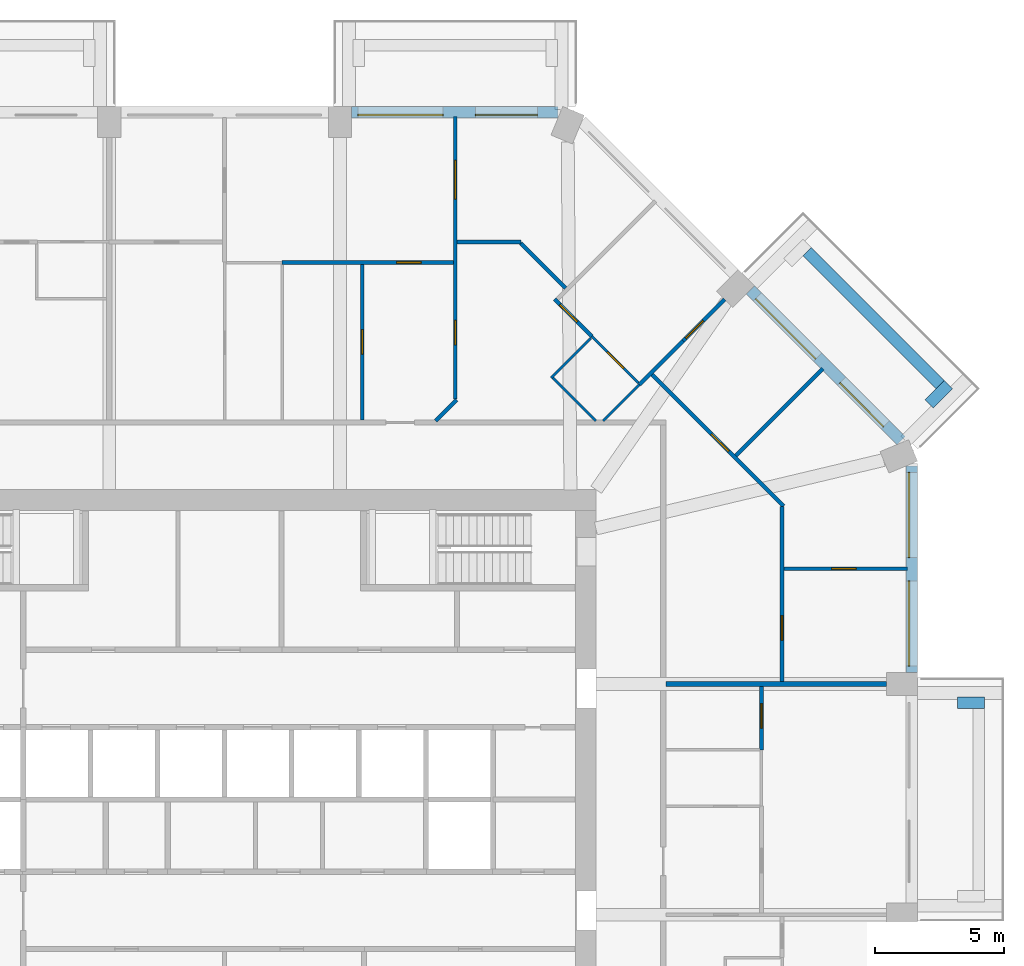
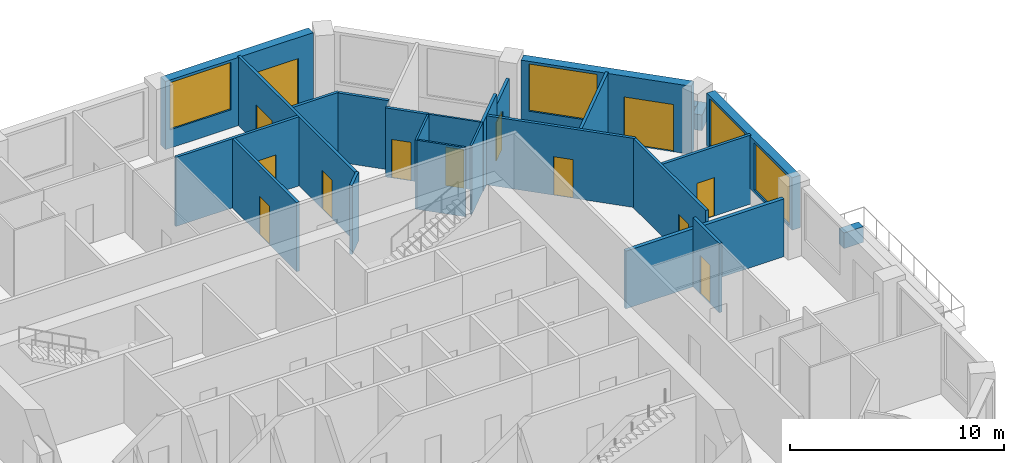
# One storey, part 10 of 13: 25 walls, 13 doors, 4 windows, 17 openings.
"""IFC4 building model written with IfcOpenShell, lengths in metres."""

from ifc_helpers import new_model, si_unit, direction, frame, frame_2d, origin, place, context, subcontext, project, spatial, rectangle, extrude, material, layer, layer_set, type_object, element, fill, save


model = new_model("IFC4")

# Units and contexts
model_context = context("Model", 3, precision=1e-05, world=origin(), true_north=direction((0.0, 1.0)))
body_context = subcontext(model_context, "Body", "Model", "MODEL_VIEW")
ifc_project = project(units=[si_unit("LENGTHUNIT", "METRE"), si_unit("AREAUNIT", "SQUARE_METRE"), si_unit("VOLUMEUNIT", "CUBIC_METRE"), si_unit("PLANEANGLEUNIT", "RADIAN"), si_unit("MASSUNIT", "GRAM", prefix="KILO")], contexts=[model_context])

# Site, building, storey
site_placement = place(None, origin())
site = spatial("IfcSite", under=ifc_project, at=site_placement, CompositionType="ELEMENT")
building_placement = place(site_placement, origin())
building = spatial("IfcBuilding", under=site, at=building_placement, Name="Msitu Wima Residences", CompositionType="ELEMENT")
storey_placement = place(building_placement, frame((0.0, 0.0, 110.699951171875)))
storey = spatial("IfcBuildingStorey", under=building, at=storey_placement, Name="L25", CompositionType="ELEMENT", Elevation=110.699951171875)

# Walls
ifc_material_1 = material(Name="Facing brick")
ifc_layer_1 = layer(ifc_material_1, 0.06494140625, Name="Facing brick")
ifc_material_2 = material(Name="Concrete C40/50", Category="concrete")
ifc_layer_2 = layer(ifc_material_2, 0.156005859375, Name="Concrete C40/50")
ifc_material_3 = material(Name="Waterproofing membrane")
ifc_layer_3 = layer(ifc_material_3, 0.00390625, Name="Waterproofing membrane")
ifc_material_4 = material(Name="Planting soil and planting")
ifc_layer_4 = layer(ifc_material_4, 0.22509765625, Name="Planting soil and planting")
ifc_layer_set_1 = layer_set([ifc_layer_1, ifc_layer_2, ifc_layer_3, ifc_layer_4], Name="Concrete C40/50")
wall_type_1 = type_object("IfcWallType", Name="Balcony planter PLANTER PL450", PredefinedType="USERDEFINED", material=ifc_layer_set_1)
wall_1_placement = place(storey_placement, frame((28.39990234375, 3.74365234375, 0.0), z_axis=(0.0, 0.0, 1.0), x_axis=(1.0, 0.0, 0.0)))
element("IfcWall", 1, at=wall_1_placement, inside=storey, type_object=wall_type_1, Name="Balcony planter E1 L25", ObjectType="PLANTER", PredefinedType="USERDEFINED", context=body_context, shape_type="SweptSolid", body=[
    extrude(rectangle(XDim=1.050048828125, YDim=0.449951171875, at=frame_2d((0.52490234375, 0.0))), origin(), (0.0, 0.0, 1.0), 0.900146484375),
])
wall_2_placement = place(storey_placement, frame((27.725830078125, 16.0751953125, 0.0), z_axis=(0.0, 0.0, 1.0), x_axis=(-0.707106781187, 0.707106781187, 0.0)))
element("IfcWall", 2, at=wall_2_placement, inside=storey, type_object=wall_type_1, Name="Balcony planter NE0 L25", ObjectType="PLANTER", PredefinedType="USERDEFINED", context=body_context, shape_type="SweptSolid", body=[
    extrude(rectangle(XDim=7.288330078125, YDim=0.449951171875, at=frame_2d((3.64404296875, 0.0))), origin(), (0.0, 0.0, 1.0), 0.900146484375),
])
wall_3_placement = place(storey_placement, frame((27.301513671875, 15.332763671875, 0.0), z_axis=(0.0, 0.0, 1.0), x_axis=(0.707106781187, 0.707106781187, 0.0)))
element("IfcWall", 3, at=wall_3_placement, inside=storey, type_object=wall_type_1, Name="Balcony planter NE0 L25", ObjectType="PLANTER", PredefinedType="USERDEFINED", context=body_context, shape_type="SweptSolid", body=[
    extrude(rectangle(XDim=1.050048828125, YDim=0.449951171875, at=frame_2d((0.52490234375, 0.0))), origin(), (0.0, 0.0, 1.0), 0.900146484375),
])

# Wall, openings, windows
ifc_material_5 = material(Name="Brick (red buff mix)", Category="masonry")
ifc_layer_5 = layer(ifc_material_5, 0.449951171875)
ifc_layer_set_2 = layer_set([ifc_layer_5], Name="Brick (red buff mix)")
wall_type_2 = type_object("IfcWallType", Name="Brick infill wall BW450", PredefinedType="SOLIDWALL", material=ifc_layer_set_2)
wall_4_placement = place(storey_placement, frame((26.625, 4.918701171875, 0.900146484375), z_axis=(0.0, 0.0, 1.0), x_axis=(0.0, 1.0, 0.0)))
wall_4 = element("IfcWall", 4, at=wall_4_placement, inside=storey, type_object=wall_type_2, Name="Brick infill wall L25 E2", PredefinedType="SOLIDWALL", context=body_context, shape_type="SweptSolid", body=[
    extrude(rectangle(XDim=8.0, YDim=0.449951171875, at=frame_2d((4.0, 0.0))), origin(), (0.0, 0.0, 1.0), 3.0),
])
opening_1_placement = place(wall_4_placement, frame((0.25, 0.0, 0.14990234375)))
opening_1 = element("IfcOpeningElement", 5, at=opening_1_placement, cuts=wall_4, Name="Opening W25-26.004", PredefinedType="OPENING", context=body_context, shape_type="SweptSolid", body=[
    extrude(rectangle(XDim=3.300048828125, YDim=2.699951171875, at=frame_2d((1.64990234375, 1.35009765625))), frame((0.0, 0.23486328125, 0.0), z_axis=(0.0, -1.0, 0.0), x_axis=(1.0, 0.0, 0.0)), (0.0, 0.0, 1.0), 0.469970703125),
])
opening_2_placement = place(wall_4_placement, frame((4.4501953125, 0.0, 0.14990234375)))
opening_2 = element("IfcOpeningElement", 6, at=opening_2_placement, cuts=wall_4, Name="Opening W25-26.005", PredefinedType="OPENING", context=body_context, shape_type="SweptSolid", body=[
    extrude(rectangle(XDim=3.300048828125, YDim=2.699951171875, at=frame_2d((1.64990234375, 1.35009765625))), frame((0.0, 0.23486328125, 0.0), z_axis=(0.0, -1.0, 0.0), x_axis=(1.0, 0.0, 0.0)), (0.0, 0.0, 1.0), 0.469970703125),
])
ifc_material_6 = material(Name="Anodised aluminium, bronze finish, clear low-emissivity double glazing", Category="aluminium")
window_type = type_object("IfcWindowType", Name="Window W3300x2700", PartitioningType="DOUBLE_PANEL_VERTICAL", PredefinedType="WINDOW", material=ifc_material_6)
window_1_placement = place(opening_1_placement, origin())
window_1 = element("IfcWindow", 7, at=window_1_placement, inside=storey, type_object=window_type, Name="Window L25 E2.1", OverallHeight=2.699951171875, OverallWidth=3.300048828125, PartitioningType="SINGLE_PANEL", PredefinedType="WINDOW", context=body_context, shape_type="SweptSolid", body=[
    extrude(rectangle(XDim=3.300048828125, YDim=2.699951171875, at=frame_2d((1.64990234375, 1.35009765625))), frame((0.0, 0.135009765625, 0.0), z_axis=(0.0, -1.0, 0.0), x_axis=(1.0, 0.0, 0.0)), (0.0, 0.0, 1.0), 0.06005859375),
])
fill(opening_1, window_1)
window_2_placement = place(opening_2_placement, origin())
window_2 = element("IfcWindow", 8, at=window_2_placement, inside=storey, type_object=window_type, Name="Window L25 E2.2", OverallHeight=2.699951171875, OverallWidth=3.300048828125, PartitioningType="SINGLE_PANEL", PredefinedType="WINDOW", context=body_context, shape_type="SweptSolid", body=[
    extrude(rectangle(XDim=3.300048828125, YDim=2.699951171875, at=frame_2d((1.64990234375, 1.35009765625))), frame((0.0, 0.135009765625, 0.0), z_axis=(0.0, -1.0, 0.0), x_axis=(1.0, 0.0, 0.0)), (0.0, 0.0, 1.0), 0.06005859375),
])
fill(opening_2, window_2)

# Wall, openings, door, window
wall_5_placement = place(storey_placement, frame((26.214599609375, 13.909423828125, 0.0), z_axis=(0.0, 0.0, 1.0), x_axis=(-0.707106781187, 0.707106781187, 0.0)))
wall_5 = element("IfcWall", 9, at=wall_5_placement, inside=storey, type_object=wall_type_2, Name="Brick infill wall L25 NE0", PredefinedType="SOLIDWALL", context=body_context, shape_type="SweptSolid", body=[
    extrude(rectangle(XDim=8.251220703125, YDim=0.449951171875, at=frame_2d((4.12548828125, 0.0))), origin(), (0.0, 0.0, 1.0), 3.900146484375),
])
opening_3_placement = place(wall_5_placement, frame((0.86279296875, 0.0, 0.0)))
opening_3 = element("IfcOpeningElement", 10, at=opening_3_placement, cuts=wall_5, Name="Opening D25-26.004", PredefinedType="OPENING", context=body_context, shape_type="SweptSolid", body=[
    extrude(rectangle(XDim=2.39990234375, YDim=2.699951171875, at=frame_2d((1.199951171875, 1.35009765625))), frame((0.0, 0.23486328125, 0.0), z_axis=(0.0, -1.0, 0.0), x_axis=(1.0, 0.0, 0.0)), (0.0, 0.0, 1.0), 0.469970703125),
])
opening_4_placement = place(wall_5_placement, frame((4.57568359375, 0.0, 1.050048828125)))
opening_4 = element("IfcOpeningElement", 11, at=opening_4_placement, cuts=wall_5, Name="Opening W25-26.010", PredefinedType="OPENING", context=body_context, shape_type="SweptSolid", body=[
    extrude(rectangle(XDim=3.300048828125, YDim=2.699951171875, at=frame_2d((1.64990234375, 1.35009765625))), frame((0.0, 0.23486328125, 0.0), z_axis=(0.0, -1.0, 0.0), x_axis=(1.0, 0.0, 0.0)), (0.0, 0.0, 1.0), 0.469970703125),
])
door_type_1 = type_object("IfcDoorType", Name="Balcony door D2400x2700", OperationType="SLIDING_TO_LEFT", PredefinedType="DOOR", material=ifc_material_6)
door_1_placement = place(opening_3_placement, origin())
door_1 = element("IfcDoor", 12, at=door_1_placement, inside=storey, type_object=door_type_1, Name="Balcony door L25 NE0", OperationType="SINGLE_SWING_LEFT", OverallHeight=2.699951171875, OverallWidth=2.39990234375, PredefinedType="DOOR", context=body_context, shape_type="SweptSolid", body=[
    extrude(rectangle(XDim=2.39990234375, YDim=2.699951171875, at=frame_2d((1.199951171875, 1.35009765625))), frame((0.0, 0.1298828125, 0.0), z_axis=(0.0, -1.0, 0.0), x_axis=(1.0, 0.0, 0.0)), (0.0, 0.0, 1.0), 0.050048828125),
])
fill(opening_3, door_1)
window_3_placement = place(opening_4_placement, origin())
window_3 = element("IfcWindow", 13, at=window_3_placement, inside=storey, type_object=window_type, Name="Window L25 NE0.2", OverallHeight=2.699951171875, OverallWidth=3.300048828125, PartitioningType="SINGLE_PANEL", PredefinedType="WINDOW", context=body_context, shape_type="SweptSolid", body=[
    extrude(rectangle(XDim=3.300048828125, YDim=2.699951171875, at=frame_2d((1.64990234375, 1.35009765625))), frame((0.0, 0.135009765625, 0.0), z_axis=(0.0, -1.0, 0.0), x_axis=(1.0, 0.0, 0.0)), (0.0, 0.0, 1.0), 0.06005859375),
])
fill(opening_4, window_3)

wall_6_placement = place(storey_placement, frame((12.918701171875, 26.625, 0.0), z_axis=(0.0, 0.0, 1.0), x_axis=(-1.0, 0.0, 0.0)))
wall_6 = element("IfcWall", 14, at=wall_6_placement, inside=storey, type_object=wall_type_2, Name="Brick infill wall L25 N0", PredefinedType="SOLIDWALL", context=body_context, shape_type="SweptSolid", body=[
    extrude(rectangle(XDim=8.0, YDim=0.449951171875, at=frame_2d((4.0, 0.0))), origin(), (0.0, 0.0, 1.0), 3.900146484375),
])
opening_5_placement = place(wall_6_placement, frame((0.800048828125, 0.0, 0.0)))
opening_5 = element("IfcOpeningElement", 15, at=opening_5_placement, cuts=wall_6, Name="Opening D25-26.002", PredefinedType="OPENING", context=body_context, shape_type="SweptSolid", body=[
    extrude(rectangle(XDim=2.39990234375, YDim=2.699951171875, at=frame_2d((1.199951171875, 1.35009765625))), frame((0.0, 0.23486328125, 0.0), z_axis=(0.0, -1.0, 0.0), x_axis=(1.0, 0.0, 0.0)), (0.0, 0.0, 1.0), 0.469970703125),
])
opening_6_placement = place(wall_6_placement, frame((4.4501953125, 0.0, 1.050048828125)))
opening_6 = element("IfcOpeningElement", 16, at=opening_6_placement, cuts=wall_6, Name="Opening W25-26.006", PredefinedType="OPENING", context=body_context, shape_type="SweptSolid", body=[
    extrude(rectangle(XDim=3.300048828125, YDim=2.699951171875, at=frame_2d((1.64990234375, 1.35009765625))), frame((0.0, 0.23486328125, 0.0), z_axis=(0.0, -1.0, 0.0), x_axis=(1.0, 0.0, 0.0)), (0.0, 0.0, 1.0), 0.469970703125),
])
door_2_placement = place(opening_5_placement, origin())
door_2 = element("IfcDoor", 17, at=door_2_placement, inside=storey, type_object=door_type_1, Name="Balcony door L25 N0", OperationType="SINGLE_SWING_LEFT", OverallHeight=2.699951171875, OverallWidth=2.39990234375, PredefinedType="DOOR", context=body_context, shape_type="SweptSolid", body=[
    extrude(rectangle(XDim=2.39990234375, YDim=2.699951171875, at=frame_2d((1.199951171875, 1.35009765625))), frame((0.0, 0.1298828125, 0.0), z_axis=(0.0, -1.0, 0.0), x_axis=(1.0, 0.0, 0.0)), (0.0, 0.0, 1.0), 0.050048828125),
])
fill(opening_5, door_2)
window_4_placement = place(opening_6_placement, origin())
window_4 = element("IfcWindow", 18, at=window_4_placement, inside=storey, type_object=window_type, Name="Window L25 N0.2", OverallHeight=2.699951171875, OverallWidth=3.300048828125, PartitioningType="SINGLE_PANEL", PredefinedType="WINDOW", context=body_context, shape_type="SweptSolid", body=[
    extrude(rectangle(XDim=3.300048828125, YDim=2.699951171875, at=frame_2d((1.64990234375, 1.35009765625))), frame((0.0, 0.135009765625, 0.0), z_axis=(0.0, -1.0, 0.0), x_axis=(1.0, 0.0, 0.0)), (0.0, 0.0, 1.0), 0.06005859375),
])
fill(opening_6, window_4)

# Wall, opening, door
ifc_material_7 = material(Name="Plaster")
ifc_layer_6 = layer(ifc_material_7, 0.011962890625, Name="Plaster")
ifc_material_8 = material(Name="Concrete blockwork", Category="masonry")
ifc_layer_7 = layer(ifc_material_8, 0.1259765625, Name="Concrete blockwork")
ifc_layer_8 = layer(ifc_material_7, 0.011962890625, Name="Plaster")
ifc_layer_set_3 = layer_set([ifc_layer_6, ifc_layer_7, ifc_layer_8], Name="Concrete blockwork")
wall_type_3 = type_object("IfcWallType", Name="Partition PW150", PredefinedType="PARTITIONING", material=ifc_layer_set_3)
wall_7_placement = place(storey_placement, frame((2.21728515625, 20.800048828125, 0.0), z_axis=(0.0, 0.0, 1.0), x_axis=(1.0, 0.0, 0.0)))
wall_7 = element("IfcWall", 19, at=wall_7_placement, inside=storey, type_object=wall_type_3, Name="Partition", PredefinedType="PARTITIONING", context=body_context, shape_type="SweptSolid", body=[
    extrude(rectangle(XDim=6.64501953125, YDim=0.14990234375, at=frame_2d((3.322509765625, 0.0))), origin(), (0.0, 0.0, 1.0), 3.949951171875),
])
opening_7_placement = place(wall_7_placement, frame((4.449951171875, 0.0, 0.0)))
opening_7 = element("IfcOpeningElement", 20, at=opening_7_placement, cuts=wall_7, Name="Opening D25-26.053", PredefinedType="OPENING", context=body_context, shape_type="SweptSolid", body=[
    extrude(rectangle(XDim=0.949951171875, YDim=2.199951171875, at=frame_2d((0.47509765625, 1.10009765625))), frame((0.0, 0.0849609375, 0.0), z_axis=(0.0, -1.0, 0.0), x_axis=(1.0, 0.0, 0.0)), (0.0, 0.0, 1.0), 0.169921875),
])
ifc_material_9 = material(Name="Timber flush door", Category="wood")
door_type_2 = type_object("IfcDoorType", Name="Room door D12 950x2200", OperationType="SINGLE_SWING_LEFT", PredefinedType="DOOR", material=ifc_material_9)
door_3_placement = place(opening_7_placement, origin())
door_3 = element("IfcDoor", 21, at=door_3_placement, inside=storey, type_object=door_type_2, Name="Room door", OperationType="SINGLE_SWING_RIGHT", OverallHeight=2.199951171875, OverallWidth=0.949951171875, PredefinedType="DOOR", context=body_context, shape_type="SweptSolid", body=[
    extrude(rectangle(XDim=0.949951171875, YDim=2.199951171875, at=frame_2d((0.47509765625, 1.10009765625))), frame((0.0, 0.02490234375, 0.0), z_axis=(0.0, -1.0, 0.0), x_axis=(1.0, 0.0, 0.0)), (0.0, 0.0, 1.0), 0.050048828125),
])
fill(opening_7, door_3)

wall_8_placement = place(storey_placement, frame((5.337158203125, 14.699951171875, 0.0), z_axis=(0.0, 0.0, 1.0), x_axis=(0.0, 1.0, 0.0)))
wall_8 = element("IfcWall", 22, at=wall_8_placement, inside=storey, type_object=wall_type_3, Name="Partition", PredefinedType="PARTITIONING", context=body_context, shape_type="SweptSolid", body=[
    extrude(rectangle(XDim=6.025146484375, YDim=0.14990234375, at=frame_2d((3.0126953125, 0.0))), origin(), (0.0, 0.0, 1.0), 3.949951171875),
])
opening_8_placement = place(wall_8_placement, frame((2.550048828125, 0.0, 0.0)))
opening_8 = element("IfcOpeningElement", 23, at=opening_8_placement, cuts=wall_8, Name="Opening D25-26.075", PredefinedType="OPENING", context=body_context, shape_type="SweptSolid", body=[
    extrude(rectangle(XDim=0.949951171875, YDim=2.199951171875, at=frame_2d((0.47509765625, 1.10009765625))), frame((0.0, 0.0849609375, 0.0), z_axis=(0.0, -1.0, 0.0), x_axis=(1.0, 0.0, 0.0)), (0.0, 0.0, 1.0), 0.169921875),
])
door_4_placement = place(opening_8_placement, origin())
door_4 = element("IfcDoor", 24, at=door_4_placement, inside=storey, type_object=door_type_2, Name="Room door", OperationType="SINGLE_SWING_RIGHT", OverallHeight=2.199951171875, OverallWidth=0.949951171875, PredefinedType="DOOR", context=body_context, shape_type="SweptSolid", body=[
    extrude(rectangle(XDim=0.949951171875, YDim=2.199951171875, at=frame_2d((0.47509765625, 1.10009765625))), frame((0.0, 0.02490234375, 0.0), z_axis=(0.0, -1.0, 0.0), x_axis=(1.0, 0.0, 0.0)), (0.0, 0.0, 1.0), 0.050048828125),
])
fill(opening_8, door_4)

# Wall
wall_9_placement = place(storey_placement, frame((8.173583984375, 14.670654296875, 0.0), z_axis=(0.0, 0.0, 1.0), x_axis=(0.707106781187, 0.707106781187, 0.0)))
element("IfcWall", 25, at=wall_9_placement, inside=storey, type_object=wall_type_3, Name="Partition", PredefinedType="PARTITIONING", context=body_context, shape_type="SweptSolid", body=[
    extrude(rectangle(XDim=1.155029296875, YDim=0.14990234375, at=frame_2d((0.57763671875, 0.0))), origin(), (0.0, 0.0, 1.0), 3.949951171875),
])

# Wall, openings, doors
wall_10_placement = place(storey_placement, frame((8.937255859375, 15.50927734375, 0.0), z_axis=(0.0, 0.0, 1.0), x_axis=(0.0, 1.0, 0.0)))
wall_10 = element("IfcWall", 26, at=wall_10_placement, inside=storey, type_object=wall_type_3, Name="Partition", PredefinedType="PARTITIONING", context=body_context, shape_type="SweptSolid", body=[
    extrude(rectangle(XDim=10.94580078125, YDim=0.14990234375, at=frame_2d((5.472900390625, 0.0))), origin(), (0.0, 0.0, 1.0), 3.949951171875),
])
opening_9_placement = place(wall_10_placement, frame((2.10009765625, 0.0, 0.0)))
opening_9 = element("IfcOpeningElement", 27, at=opening_9_placement, cuts=wall_10, Name="Opening D25-26.042", PredefinedType="OPENING", context=body_context, shape_type="SweptSolid", body=[
    extrude(rectangle(XDim=0.949951171875, YDim=2.199951171875, at=frame_2d((0.47509765625, 1.10009765625))), frame((0.0, 0.0849609375, 0.0), z_axis=(0.0, -1.0, 0.0), x_axis=(1.0, 0.0, 0.0)), (0.0, 0.0, 1.0), 0.169921875),
])
opening_10_placement = place(wall_10_placement, frame((7.75, 0.0, 0.0)))
opening_10 = element("IfcOpeningElement", 28, at=opening_10_placement, cuts=wall_10, Name="Opening D25-26.064", PredefinedType="OPENING", context=body_context, shape_type="SweptSolid", body=[
    extrude(rectangle(XDim=1.5, YDim=2.199951171875, at=frame_2d((0.75, 1.10009765625))), frame((0.0, 0.0849609375, 0.0), z_axis=(0.0, -1.0, 0.0), x_axis=(1.0, 0.0, 0.0)), (0.0, 0.0, 1.0), 0.169921875),
])
ifc_material_10 = material(Name="Timber double door", Category="wood")
door_type_3 = type_object("IfcDoorType", Name="Double door D04 1500x2200", OperationType="DOUBLE_DOOR_SINGLE_SWING", PredefinedType="DOOR", material=ifc_material_10)
door_5_placement = place(opening_10_placement, origin())
door_5 = element("IfcDoor", 29, at=door_5_placement, inside=storey, type_object=door_type_3, Name="Double door", OperationType="DOUBLE_DOOR_SINGLE_SWING", OverallHeight=2.199951171875, OverallWidth=1.5, PredefinedType="DOOR", context=body_context, shape_type="SweptSolid", body=[
    extrude(rectangle(XDim=1.5, YDim=2.199951171875, at=frame_2d((0.75, 1.10009765625))), frame((0.0, 0.02490234375, 0.0), z_axis=(0.0, -1.0, 0.0), x_axis=(1.0, 0.0, 0.0)), (0.0, 0.0, 1.0), 0.050048828125),
])
fill(opening_10, door_5)
door_6_placement = place(opening_9_placement, origin())
door_6 = element("IfcDoor", 30, at=door_6_placement, inside=storey, type_object=door_type_2, Name="Room door", OperationType="SINGLE_SWING_RIGHT", OverallHeight=2.199951171875, OverallWidth=0.949951171875, PredefinedType="DOOR", context=body_context, shape_type="SweptSolid", body=[
    extrude(rectangle(XDim=0.949951171875, YDim=2.199951171875, at=frame_2d((0.47509765625, 1.10009765625))), frame((0.0, 0.02490234375, 0.0), z_axis=(0.0, -1.0, 0.0), x_axis=(1.0, 0.0, 0.0)), (0.0, 0.0, 1.0), 0.050048828125),
])
fill(opening_9, door_6)

# Walls
wall_11_placement = place(storey_placement, frame((9.01220703125, 21.60009765625, 0.0), z_axis=(0.0, 0.0, 1.0), x_axis=(1.0, 0.0, 0.0)))
element("IfcWall", 31, at=wall_11_placement, inside=storey, type_object=wall_type_3, Name="Partition", PredefinedType="PARTITIONING", context=body_context, shape_type="SweptSolid", body=[
    extrude(rectangle(XDim=2.48046875, YDim=0.14990234375, at=frame_2d((1.240234375, 0.0))), origin(), (0.0, 0.0, 1.0), 3.949951171875),
])
wall_12_placement = place(storey_placement, frame((11.470703125, 21.546875, 0.0), z_axis=(0.0, 0.0, 1.0), x_axis=(0.707106781187, -0.707106781187, 0.0)))
element("IfcWall", 32, at=wall_12_placement, inside=storey, type_object=wall_type_3, Name="Partition", PredefinedType="PARTITIONING", context=body_context, shape_type="SweptSolid", body=[
    extrude(rectangle(XDim=2.455810546875, YDim=0.14990234375, at=frame_2d((1.22802734375, 0.0))), origin(), (0.0, 0.0, 1.0), 3.949951171875),
])

# Wall, opening, door
wall_13_placement = place(storey_placement, frame((12.782958984375, 19.38623046875, 0.0), z_axis=(0.0, 0.0, 1.0), x_axis=(0.707106781187, -0.707106781187, 0.0)))
wall_13 = element("IfcWall", 33, at=wall_13_placement, inside=storey, type_object=wall_type_3, Name="Partition", PredefinedType="PARTITIONING", context=body_context, shape_type="SweptSolid", body=[
    extrude(rectangle(XDim=2.049072265625, YDim=0.14990234375, at=frame_2d((1.0244140625, 0.0))), origin(), (0.0, 0.0, 1.0), 3.949951171875),
])
opening_11_placement = place(wall_13_placement, frame((0.300048828125, 0.0, 0.0)))
opening_11 = element("IfcOpeningElement", 34, at=opening_11_placement, cuts=wall_13, Name="Opening D25-26.086", PredefinedType="OPENING", context=body_context, shape_type="SweptSolid", body=[
    extrude(rectangle(XDim=0.949951171875, YDim=2.199951171875, at=frame_2d((0.47509765625, 1.10009765625))), frame((0.0, 0.0849609375, 0.0), z_axis=(0.0, -1.0, 0.0), x_axis=(1.0, 0.0, 0.0)), (0.0, 0.0, 1.0), 0.169921875),
])
door_7_placement = place(opening_11_placement, origin())
door_7 = element("IfcDoor", 35, at=door_7_placement, inside=storey, type_object=door_type_2, Name="Room door", OperationType="SINGLE_SWING_LEFT", OverallHeight=2.199951171875, OverallWidth=0.949951171875, PredefinedType="DOOR", context=body_context, shape_type="SweptSolid", body=[
    extrude(rectangle(XDim=0.949951171875, YDim=2.199951171875, at=frame_2d((0.47509765625, 1.10009765625))), frame((0.0, 0.02490234375, 0.0), z_axis=(0.0, -1.0, 0.0), x_axis=(1.0, 0.0, 0.0)), (0.0, 0.0, 1.0), 0.050048828125),
])
fill(opening_11, door_7)

# Wall
wall_14_placement = place(storey_placement, frame((16.0703125, 16.0703125, 0.0), z_axis=(0.0, 0.0, 1.0), x_axis=(0.707106781187, 0.707106781187, 0.0)))
element("IfcWall", 36, at=wall_14_placement, inside=storey, type_object=wall_type_3, Name="Partition", PredefinedType="PARTITIONING", context=body_context, shape_type="SweptSolid", body=[
    extrude(rectangle(XDim=2.400390625, YDim=0.14990234375, at=frame_2d((1.2001953125, 0.0))), origin(), (0.0, 0.0, 1.0), 3.949951171875),
])

# Wall, opening, door
wall_15_placement = place(storey_placement, frame((17.767578125, 17.767578125, 0.0), z_axis=(0.0, 0.0, 1.0), x_axis=(0.707106781187, 0.707106781187, 0.0)))
wall_15 = element("IfcWall", 37, at=wall_15_placement, inside=storey, type_object=wall_type_3, Name="Partition", PredefinedType="PARTITIONING", context=body_context, shape_type="SweptSolid", body=[
    extrude(rectangle(XDim=2.269775390625, YDim=0.14990234375, at=frame_2d((1.134765625, 0.0))), origin(), (0.0, 0.0, 1.0), 3.300048828125),
])
opening_12_placement = place(wall_15_placement, frame((0.14990234375, 0.0, 0.0)))
opening_12 = element("IfcOpeningElement", 38, at=opening_12_placement, cuts=wall_15, Name="Opening D25-26.043", PredefinedType="OPENING", context=body_context, shape_type="SweptSolid", body=[
    extrude(rectangle(XDim=0.949951171875, YDim=2.199951171875, at=frame_2d((0.47509765625, 1.10009765625))), frame((0.0, 0.0849609375, 0.0), z_axis=(0.0, -1.0, 0.0), x_axis=(1.0, 0.0, 0.0)), (0.0, 0.0, 1.0), 0.169921875),
])
door_8_placement = place(opening_12_placement, origin())
door_8 = element("IfcDoor", 39, at=door_8_placement, inside=storey, type_object=door_type_2, Name="Room door", OperationType="SINGLE_SWING_RIGHT", OverallHeight=2.199951171875, OverallWidth=0.949951171875, PredefinedType="DOOR", context=body_context, shape_type="SweptSolid", body=[
    extrude(rectangle(XDim=0.949951171875, YDim=2.199951171875, at=frame_2d((0.47509765625, 1.10009765625))), frame((0.0, 0.02490234375, 0.0), z_axis=(0.0, -1.0, 0.0), x_axis=(1.0, 0.0, 0.0)), (0.0, 0.0, 1.0), 0.050048828125),
])
fill(opening_12, door_8)

wall_16_placement = place(storey_placement, frame((16.561767578125, 16.455810546875, 0.0), z_axis=(0.0, 0.0, 1.0), x_axis=(0.707123735134, -0.707089826832, 0.0)))
wall_16 = element("IfcWall", 40, at=wall_16_placement, inside=storey, type_object=wall_type_3, Name="Partition", PredefinedType="PARTITIONING", context=body_context, shape_type="SweptSolid", body=[
    extrude(rectangle(XDim=7.199951171875, YDim=0.14990234375, at=frame_2d((3.60009765625, 0.0))), origin(), (0.0, 0.0, 1.0), 3.949951171875),
])
opening_13_placement = place(wall_16_placement, frame((3.25, 0.0, 0.0)))
opening_13 = element("IfcOpeningElement", 41, at=opening_13_placement, cuts=wall_16, Name="Opening D25-26.044", PredefinedType="OPENING", context=body_context, shape_type="SweptSolid", body=[
    extrude(rectangle(XDim=0.949951171875, YDim=2.199951171875, at=frame_2d((0.47509765625, 1.10009765625))), frame((0.0, 0.0849609375, 0.0), z_axis=(0.0, -1.0, 0.0), x_axis=(1.0, 0.0, 0.0)), (0.0, 0.0, 1.0), 0.169921875),
])
door_9_placement = place(opening_13_placement, origin())
door_9 = element("IfcDoor", 42, at=door_9_placement, inside=storey, type_object=door_type_2, Name="Room door", OperationType="SINGLE_SWING_RIGHT", OverallHeight=2.199951171875, OverallWidth=0.949951171875, PredefinedType="DOOR", context=body_context, shape_type="SweptSolid", body=[
    extrude(rectangle(XDim=0.949951171875, YDim=2.199951171875, at=frame_2d((0.47509765625, 1.10009765625))), frame((0.0, 0.02490234375, 0.0), z_axis=(0.0, -1.0, 0.0), x_axis=(1.0, 0.0, 0.0)), (0.0, 0.0, 1.0), 0.050048828125),
])
fill(opening_13, door_9)

# Wall
wall_17_placement = place(storey_placement, frame((19.810302734375, 13.313232421875, 0.0), z_axis=(0.0, 0.0, 1.0), x_axis=(0.707106781187, 0.707106781187, 0.0)))
element("IfcWall", 43, at=wall_17_placement, inside=storey, type_object=wall_type_3, Name="Partition", PredefinedType="PARTITIONING", context=body_context, shape_type="SweptSolid", body=[
    extrude(rectangle(XDim=4.7802734375, YDim=0.14990234375, at=frame_2d((2.39013671875, 0.0))), origin(), (0.0, 0.0, 1.0), 3.949951171875),
])

# Wall, opening, door
wall_18_placement = place(storey_placement, frame((20.800048828125, 1.911376953125, 0.0), z_axis=(0.0, 0.0, 1.0), x_axis=(0.0, 1.0, 0.0)))
wall_18 = element("IfcWall", 44, at=wall_18_placement, inside=storey, type_object=wall_type_3, Name="Partition", PredefinedType="PARTITIONING", context=body_context, shape_type="SweptSolid", body=[
    extrude(rectangle(XDim=2.457275390625, YDim=0.14990234375, at=frame_2d((1.228515625, 0.0))), origin(), (0.0, 0.0, 1.0), 3.949951171875),
])
opening_14_placement = place(wall_18_placement, frame((0.85009765625, 0.0, 0.0)))
opening_14 = element("IfcOpeningElement", 45, at=opening_14_placement, cuts=wall_18, Name="Opening D25-26.090", PredefinedType="OPENING", context=body_context, shape_type="SweptSolid", body=[
    extrude(rectangle(XDim=0.949951171875, YDim=2.199951171875, at=frame_2d((0.47509765625, 1.10009765625))), frame((0.0, 0.0849609375, 0.0), z_axis=(0.0, -1.0, 0.0), x_axis=(1.0, 0.0, 0.0)), (0.0, 0.0, 1.0), 0.169921875),
])
door_10_placement = place(opening_14_placement, origin())
door_10 = element("IfcDoor", 46, at=door_10_placement, inside=storey, type_object=door_type_2, Name="Room door", OperationType="SINGLE_SWING_LEFT", OverallHeight=2.199951171875, OverallWidth=0.949951171875, PredefinedType="DOOR", context=body_context, shape_type="SweptSolid", body=[
    extrude(rectangle(XDim=0.949951171875, YDim=2.199951171875, at=frame_2d((0.47509765625, 1.10009765625))), frame((0.0, 0.02490234375, 0.0), z_axis=(0.0, -1.0, 0.0), x_axis=(1.0, 0.0, 0.0)), (0.0, 0.0, 1.0), 0.050048828125),
])
fill(opening_14, door_10)

wall_19_placement = place(storey_placement, frame((21.60009765625, 4.568603515625, 0.0), z_axis=(0.0, 0.0, 1.0), x_axis=(0.0, 1.0, 0.0)))
wall_19 = element("IfcWall", 47, at=wall_19_placement, inside=storey, type_object=wall_type_3, Name="Partition", PredefinedType="PARTITIONING", context=body_context, shape_type="SweptSolid", body=[
    extrude(rectangle(XDim=6.774169921875, YDim=0.14990234375, at=frame_2d((3.38720703125, 0.0))), origin(), (0.0, 0.0, 1.0), 3.949951171875),
])
opening_15_placement = place(wall_19_placement, frame((1.60009765625, 0.0, 0.0)))
opening_15 = element("IfcOpeningElement", 48, at=opening_15_placement, cuts=wall_19, Name="Opening D25-26.045", PredefinedType="OPENING", context=body_context, shape_type="SweptSolid", body=[
    extrude(rectangle(XDim=0.949951171875, YDim=2.199951171875, at=frame_2d((0.47509765625, 1.10009765625))), frame((0.0, 0.0849609375, 0.0), z_axis=(0.0, -1.0, 0.0), x_axis=(1.0, 0.0, 0.0)), (0.0, 0.0, 1.0), 0.169921875),
])
door_11_placement = place(opening_15_placement, origin())
door_11 = element("IfcDoor", 49, at=door_11_placement, inside=storey, type_object=door_type_2, Name="Room door", OperationType="SINGLE_SWING_RIGHT", OverallHeight=2.199951171875, OverallWidth=0.949951171875, PredefinedType="DOOR", context=body_context, shape_type="SweptSolid", body=[
    extrude(rectangle(XDim=0.949951171875, YDim=2.199951171875, at=frame_2d((0.47509765625, 1.10009765625))), frame((0.0, 0.02490234375, 0.0), z_axis=(0.0, -1.0, 0.0), x_axis=(1.0, 0.0, 0.0)), (0.0, 0.0, 1.0), 0.050048828125),
])
fill(opening_15, door_11)

wall_20_placement = place(storey_placement, frame((21.675048828125, 8.937255859375, 0.0), z_axis=(0.0, 0.0, 1.0), x_axis=(1.0, 0.0, 0.0)))
wall_20 = element("IfcWall", 50, at=wall_20_placement, inside=storey, type_object=wall_type_3, Name="Partition", PredefinedType="PARTITIONING", context=body_context, shape_type="SweptSolid", body=[
    extrude(rectangle(XDim=4.780029296875, YDim=0.14990234375, at=frame_2d((2.39013671875, 0.0))), origin(), (0.0, 0.0, 1.0), 3.949951171875),
])
opening_16_placement = place(wall_20_placement, frame((1.85009765625, 0.0, 0.0)))
opening_16 = element("IfcOpeningElement", 51, at=opening_16_placement, cuts=wall_20, Name="Opening D25-26.046", PredefinedType="OPENING", context=body_context, shape_type="SweptSolid", body=[
    extrude(rectangle(XDim=0.949951171875, YDim=2.199951171875, at=frame_2d((0.47509765625, 1.10009765625))), frame((0.0, 0.0849609375, 0.0), z_axis=(0.0, -1.0, 0.0), x_axis=(1.0, 0.0, 0.0)), (0.0, 0.0, 1.0), 0.169921875),
])
door_12_placement = place(opening_16_placement, origin())
door_12 = element("IfcDoor", 52, at=door_12_placement, inside=storey, type_object=door_type_2, Name="Room door", OperationType="SINGLE_SWING_LEFT", OverallHeight=2.199951171875, OverallWidth=0.949951171875, PredefinedType="DOOR", context=body_context, shape_type="SweptSolid", body=[
    extrude(rectangle(XDim=0.949951171875, YDim=2.199951171875, at=frame_2d((0.47509765625, 1.10009765625))), frame((0.0, 0.02490234375, 0.0), z_axis=(0.0, -1.0, 0.0), x_axis=(1.0, 0.0, 0.0)), (0.0, 0.0, 1.0), 0.050048828125),
])
fill(opening_16, door_12)

# Walls
ifc_layer_9 = layer(ifc_material_7, 0.011962890625, Name="Plaster")
ifc_material_11 = material(Name="Dense concrete blockwork", Category="masonry")
ifc_layer_10 = layer(ifc_material_11, 0.176025390625, Name="Dense concrete blockwork")
ifc_layer_11 = layer(ifc_material_7, 0.011962890625, Name="Plaster")
ifc_layer_set_4 = layer_set([ifc_layer_9, ifc_layer_10, ifc_layer_11], Name="Dense concrete blockwork")
wall_type_4 = type_object("IfcWallType", Name="Party wall PW200", PredefinedType="PARTITIONING", material=ifc_layer_set_4)
wall_21_placement = place(storey_placement, frame((17.10009765625, 4.46875, 0.0), z_axis=(0.0, 0.0, 1.0), x_axis=(1.0, 0.0, 0.0)))
element("IfcWall", 53, at=wall_21_placement, inside=storey, type_object=wall_type_4, Name="Party wall", PredefinedType="PARTITIONING", context=body_context, shape_type="SweptSolid", body=[
    extrude(rectangle(XDim=8.5498046875, YDim=0.199951171875, at=frame_2d((4.27490234375, 0.0))), origin(), (0.0, 0.0, 1.0), 3.300048828125),
])
ifc_material_12 = material(Name="Ceramic tiles")
ifc_layer_12 = layer(ifc_material_12, 0.008056640625, Name="Ceramic tiles")
ifc_material_13 = material(Name="Moisture-resistant board")
ifc_layer_13 = layer(ifc_material_13, 0.012451171875, Name="Moisture-resistant board")
ifc_material_14 = material(Name="Light-gauge stud framing with mineral wool")
ifc_layer_14 = layer(ifc_material_14, 0.06689453125, Name="Light-gauge stud framing with mineral wool")
ifc_layer_15 = layer(ifc_material_13, 0.012451171875, Name="Moisture-resistant board")
ifc_layer_set_5 = layer_set([ifc_layer_12, ifc_layer_13, ifc_layer_14, ifc_layer_15], Name="Light-gauge stud framing with mineral wool")
wall_type_5 = type_object("IfcWallType", Name="Wet wall PW100", PredefinedType="PARTITIONING", material=ifc_layer_set_5)
wall_22_placement = place(storey_placement, frame((12.655029296875, 16.33203125, 0.0), z_axis=(0.0, 0.0, 1.0), x_axis=(0.707106781187, 0.707106781187, 0.0)))
element("IfcWall", 54, at=wall_22_placement, inside=storey, type_object=wall_type_5, Name="Wet wall", PredefinedType="PARTITIONING", context=body_context, shape_type="SweptSolid", body=[
    extrude(rectangle(XDim=2.17529296875, YDim=0.10009765625, at=frame_2d((1.087646484375, 0.0))), origin(), (0.0, 0.0, 1.0), 3.949951171875),
])
wall_23_placement = place(storey_placement, frame((12.725830078125, 16.33203125, 0.0), z_axis=(0.0, 0.0, 1.0), x_axis=(0.707106781187, -0.707106781187, 0.0)))
element("IfcWall", 55, at=wall_23_placement, inside=storey, type_object=wall_type_5, Name="Wet wall", PredefinedType="PARTITIONING", context=body_context, shape_type="SweptSolid", body=[
    extrude(rectangle(XDim=2.349609375, YDim=0.10009765625, at=frame_2d((1.1748046875, 0.0))), origin(), (0.0, 0.0, 1.0), 3.949951171875),
])

# Wall, opening, door
wall_24_placement = place(storey_placement, frame((14.23193359375, 17.937255859375, 0.0), z_axis=(0.0, 0.0, 1.0), x_axis=(0.707106781187, -0.707106781187, 0.0)))
wall_24 = element("IfcWall", 56, at=wall_24_placement, inside=storey, type_object=wall_type_5, Name="Wet wall", PredefinedType="PARTITIONING", context=body_context, shape_type="SweptSolid", body=[
    extrude(rectangle(XDim=2.544921875, YDim=0.10009765625, at=frame_2d((1.2724609375, 0.0))), origin(), (0.0, 0.0, 1.0), 3.949951171875),
])
opening_17_placement = place(wall_24_placement, frame((0.85009765625, 0.0, 0.0)))
opening_17 = element("IfcOpeningElement", 57, at=opening_17_placement, cuts=wall_24, Name="Opening D25-26.091", PredefinedType="OPENING", context=body_context, shape_type="SweptSolid", body=[
    extrude(rectangle(XDim=0.89990234375, YDim=2.199951171875, at=frame_2d((0.449951171875, 1.10009765625))), frame((0.0, 0.06005859375, 0.0), z_axis=(0.0, -1.0, 0.0), x_axis=(1.0, 0.0, 0.0)), (0.0, 0.0, 1.0), 0.1201171875),
])
ifc_material_15 = material(Name="Timber flush door, moisture resistant", Category="wood")
door_type_4 = type_object("IfcDoorType", Name="Bathroom door D03 900x2200", OperationType="SINGLE_SWING_LEFT", PredefinedType="DOOR", material=ifc_material_15)
door_13_placement = place(opening_17_placement, origin())
door_13 = element("IfcDoor", 58, at=door_13_placement, inside=storey, type_object=door_type_4, Name="Bathroom door", OperationType="SINGLE_SWING_RIGHT", OverallHeight=2.199951171875, OverallWidth=0.89990234375, PredefinedType="DOOR", context=body_context, shape_type="SweptSolid", body=[
    extrude(rectangle(XDim=0.89990234375, YDim=2.199951171875, at=frame_2d((0.449951171875, 1.10009765625))), frame((0.0, 0.02490234375, 0.0), z_axis=(0.0, -1.0, 0.0), x_axis=(1.0, 0.0, 0.0)), (0.0, 0.0, 1.0), 0.050048828125),
])
fill(opening_17, door_13)

# Wall
wall_25_placement = place(storey_placement, frame((14.670654296875, 14.670654296875, 0.0), z_axis=(0.0, 0.0, 1.0), x_axis=(0.707106781187, 0.707106781187, 0.0)))
element("IfcWall", 59, at=wall_25_placement, inside=storey, type_object=wall_type_5, Name="Wet wall", PredefinedType="PARTITIONING", context=body_context, shape_type="SweptSolid", body=[
    extrude(rectangle(XDim=1.9794921875, YDim=0.10009765625, at=frame_2d((0.98974609375, 0.0))), origin(), (0.0, 0.0, 1.0), 3.949951171875),
])

save(model, "model.ifc")
